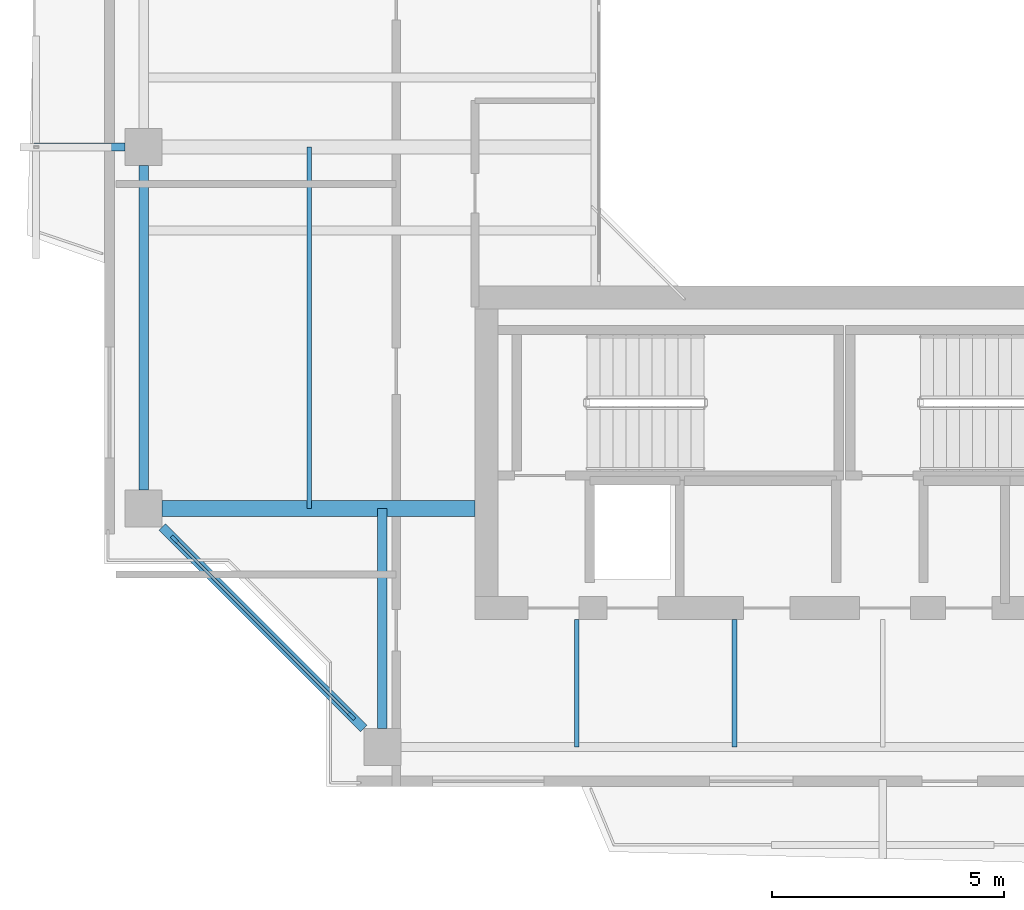
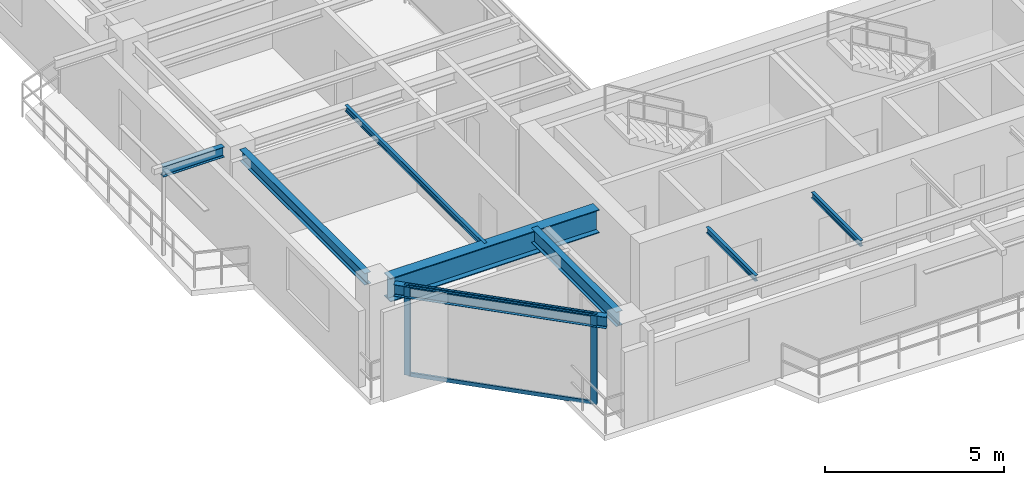
# One storey, part 2 of 16: 8 beams, 4 members, 1 element without a shape of its own.
"""IFC4 building model written with IfcOpenShell, lengths in metres."""

from ifc_helpers import new_model, si_unit, direction, frame, origin, origin_2d, place, context, subcontext, project, spatial, rectangle, i_section, extrude, source, transform, mapped, material, layer, layer_set, material_profile, profile_set, type_object, element, aggregate, save


model = new_model("IFC4")

# Units and contexts
model_context = context("Model", 3, precision=1e-05, world=origin(), true_north=direction((0.0, 1.0)))
body_context = subcontext(model_context, "Body", "Model", "MODEL_VIEW")
ifc_project = project(units=[si_unit("LENGTHUNIT", "METRE"), si_unit("AREAUNIT", "SQUARE_METRE"), si_unit("VOLUMEUNIT", "CUBIC_METRE"), si_unit("PLANEANGLEUNIT", "RADIAN"), si_unit("MASSUNIT", "GRAM", prefix="KILO"), si_unit("THERMODYNAMICTEMPERATUREUNIT", "KELVIN"), si_unit("POWERUNIT", "WATT")], contexts=[model_context])

# Site, building, storey
site_placement = place(None, origin())
site = spatial("IfcSite", under=ifc_project, at=site_placement, CompositionType="ELEMENT")
building_placement = place(site_placement, origin())
building = spatial("IfcBuilding", under=site, at=building_placement, Name="Qiaomeng Ring Towers", CompositionType="ELEMENT")
storey_placement = place(building_placement, frame((0.0, 0.0, 223.0)))
storey = spatial("IfcBuildingStorey", under=building, at=storey_placement, Name="L65", CompositionType="ELEMENT", Elevation=223.0)

# Beams
ifc_material_1 = material(Name="Steel Q355B", Category="steel")
ifc_material_profile_1 = material_profile(ifc_material_1, i_section(OverallWidth=0.198974609375, OverallDepth=0.39599609375, WebThickness=0.007080078125, FlangeThickness=0.010986328125, FilletRadius=0.01611328125, at=origin_2d()), Name="HN 396x199x7x11")
ifc_profile_set_1 = profile_set([ifc_material_profile_1], Name="Steel Q355B")
beam_type_1 = type_object("IfcBeamType", Name="STR-BM-HN396", PredefinedType="SPANDREL", material=ifc_profile_set_1)
shared_shape_1 = source(origin(), body_context, "Body", "SweptSolid", [
    extrude(i_section(OverallWidth=0.198974609375, OverallDepth=0.39599609375, WebThickness=0.007080078125, FlangeThickness=0.010986328125, FilletRadius=0.01611328125, at=origin_2d()), origin(), (0.0, 0.0, 1.0), 6.154052734375),
])
beam_1_placement = place(storey_placement, frame((3.44921875, 11.80078125, 2.8720703125), z_axis=(0.707106781187, -0.707106781187, 0.0), x_axis=(0.707106781187, 0.707106781187, 0.0)))
element("IfcBeam", 1, at=beam_1_placement, inside=storey, type_object=beam_type_1, Name="L65 beam STR-SP-L65-T1-W1-S1", PredefinedType="SPANDREL", context=body_context, shape_type="MappedRepresentation", body=[
    mapped(shared_shape_1, transform((0.0, 0.0, 0.0), x_axis=(1.0, 0.0, 0.0), y_axis=(0.0, 1.0, 0.0), z_axis=(0.0, 0.0, 1.0), scale=1.0)),
])
shared_shape_2 = source(origin(), body_context, "Body", "SweptSolid", [
    extrude(i_section(OverallWidth=0.198974609375, OverallDepth=0.39599609375, WebThickness=0.007080078125, FlangeThickness=0.010986328125, FilletRadius=0.01611328125, at=origin_2d()), origin(), (0.0, 0.0, 1.0), 7.001953125),
])
beam_2_placement = place(storey_placement, frame((3.050048828125, 19.60107421875, 2.8720703125), z_axis=(0.0, -1.0, 0.0), x_axis=(1.0, 0.0, 0.0)))
element("IfcBeam", 2, at=beam_2_placement, inside=storey, type_object=beam_type_1, Name="L65 beam STR-SP-L65-T1-W2-W1", PredefinedType="SPANDREL", context=body_context, shape_type="MappedRepresentation", body=[
    mapped(shared_shape_2, transform((0.0, 0.0, 0.0), x_axis=(1.0, 0.0, 0.0), y_axis=(0.0, 1.0, 0.0), z_axis=(0.0, 0.0, 1.0), scale=1.0)),
])
ifc_material_2 = material(Name="Steel Q390GJC", Category="steel")
ifc_material_profile_2 = material_profile(ifc_material_2, i_section(OverallWidth=0.35009765625, OverallDepth=0.800048828125, WebThickness=0.01611328125, FlangeThickness=0.028076171875, at=origin_2d()), Name="WH 800x350x16x28")
ifc_profile_set_2 = profile_set([ifc_material_profile_2], Name="Steel Q390GJC")
beam_type_2 = type_object("IfcBeamType", Name="STR-BM-WH800", PredefinedType="BEAM", material=ifc_profile_set_2)
shared_shape_3 = source(origin(), body_context, "Body", "SweptSolid", [
    extrude(i_section(OverallWidth=0.35009765625, OverallDepth=0.800048828125, WebThickness=0.01611328125, FlangeThickness=0.028076171875, at=origin_2d()), origin(), (0.0, 0.0, 1.0), 6.7509765625),
])
beam_3_placement = place(storey_placement, frame((3.448974609375, 12.199951171875, 2.669921875), z_axis=(1.0, 0.0, 0.0), x_axis=(0.0, 1.0, 0.0)))
element("IfcBeam", 3, at=beam_3_placement, inside=storey, type_object=beam_type_2, Name="L65 beam STR-BM-L65-T1-RAD-W1", PredefinedType="BEAM", context=body_context, shape_type="MappedRepresentation", body=[
    mapped(shared_shape_3, transform((0.0, 0.0, 0.0), x_axis=(1.0, 0.0, 0.0), y_axis=(0.0, 1.0, 0.0), z_axis=(0.0, 0.0, 1.0), scale=1.0)),
])
ifc_material_profile_3 = material_profile(ifc_material_1, i_section(OverallWidth=0.175048828125, OverallDepth=0.35009765625, WebThickness=0.007080078125, FlangeThickness=0.010986328125, FilletRadius=0.013916015625, at=origin_2d()), Name="HN 350x175x7x11")
ifc_profile_set_3 = profile_set([ifc_material_profile_3], Name="Steel Q355B")
beam_type_3 = type_object("IfcBeamType", Name="STR-BM-HN350", PredefinedType="JOIST", material=ifc_profile_set_3)
shared_shape_4 = source(origin(), body_context, "Body", "SweptSolid", [
    extrude(i_section(OverallWidth=0.175048828125, OverallDepth=0.35009765625, WebThickness=0.007080078125, FlangeThickness=0.010986328125, FilletRadius=0.013916015625, at=origin_2d()), origin(), (0.0, 0.0, 1.0), 1.970947265625),
])
beam_4_placement = place(storey_placement, frame((0.679931640625, 20.0, 2.89501953125), z_axis=(1.0, 0.0, 0.0), x_axis=(0.0, 1.0, 0.0)))
element("IfcBeam", 4, at=beam_4_placement, inside=storey, type_object=beam_type_3, Name="L65 beam STR-BALBM-L65-W2", PredefinedType="JOIST", context=body_context, shape_type="MappedRepresentation", body=[
    mapped(shared_shape_4, transform((0.0, 0.0, 0.0), x_axis=(1.0, 0.0, 0.0), y_axis=(0.0, 1.0, 0.0), z_axis=(0.0, 0.0, 1.0), scale=1.0)),
])
ifc_material_profile_4 = material_profile(ifc_material_1, i_section(OverallWidth=0.10009765625, OverallDepth=0.199951171875, WebThickness=0.005615234375, FlangeThickness=0.008056640625, FilletRadius=0.010986328125, at=origin_2d()), Name="HN 200x100x5.5x8")
ifc_profile_set_4 = profile_set([ifc_material_profile_4], Name="Steel Q355B")
beam_type_4 = type_object("IfcBeamType", Name="STR-BM-HN200", PredefinedType="JOIST", material=ifc_profile_set_4)
shared_shape_5 = source(origin(), body_context, "Body", "SweptSolid", [
    extrude(i_section(OverallWidth=0.10009765625, OverallDepth=0.199951171875, WebThickness=0.005615234375, FlangeThickness=0.008056640625, FilletRadius=0.010986328125, at=origin_2d()), origin(), (0.0, 0.0, 1.0), 2.75),
])
for number, where, z_axis, x_axis, name in (
    (5, (12.39990234375, 7.050048828125, 2.969970703125), (0.0, 1.0, 0.0), (-1.0, 0.0, 0.0), "L65 beam STR-JST-L65-T1S-1"),
    (6, (15.800048828125, 7.050048828125, 2.969970703125), (0.0, 1.0, 0.0), (-1.0, 0.0, 0.0), "L65 beam STR-JST-L65-T1S-2"),
):
    element("IfcBeam", number, at=place(storey_placement, frame(where, z_axis=z_axis, x_axis=x_axis)), inside=storey, type_object=beam_type_4, Name=name, PredefinedType="JOIST", context=body_context, shape_type="MappedRepresentation", body=[
        mapped(shared_shape_5, transform((0.0, 0.0, 0.0), x_axis=(1.0, 0.0, 0.0), y_axis=(0.0, 1.0, 0.0), z_axis=(0.0, 0.0, 1.0), scale=1.0)),
    ])
shared_shape_6 = source(origin(), body_context, "Body", "SweptSolid", [
    extrude(i_section(OverallWidth=0.10009765625, OverallDepth=0.199951171875, WebThickness=0.005615234375, FlangeThickness=0.008056640625, FilletRadius=0.010986328125, at=origin_2d()), origin(), (0.0, 0.0, 1.0), 7.800048828125),
])
beam_5_placement = place(storey_placement, frame((6.625, 12.199951171875, 2.969970703125), z_axis=(0.0, 1.0, 0.0), x_axis=(-1.0, 0.0, 0.0)))
element("IfcBeam", 7, at=beam_5_placement, inside=storey, type_object=beam_type_4, Name="L65 beam STR-JST-L65-T1C-WS", PredefinedType="JOIST", context=body_context, shape_type="MappedRepresentation", body=[
    mapped(shared_shape_6, transform((0.0, 0.0, 0.0), x_axis=(1.0, 0.0, 0.0), y_axis=(0.0, 1.0, 0.0), z_axis=(0.0, 0.0, 1.0), scale=1.0)),
])
ifc_material_profile_5 = material_profile(ifc_material_1, i_section(OverallWidth=0.198974609375, OverallDepth=0.49609375, WebThickness=0.009033203125, FlangeThickness=0.013916015625, FilletRadius=0.01806640625, at=origin_2d()), Name="HN 496x199x9x14")
ifc_profile_set_5 = profile_set([ifc_material_profile_5], Name="Steel Q355B")
beam_type_5 = type_object("IfcBeamType", Name="STR-BM-HN496", PredefinedType="BEAM", material=ifc_profile_set_5)
shared_shape_7 = source(origin(), body_context, "Body", "SweptSolid", [
    extrude(i_section(OverallWidth=0.198974609375, OverallDepth=0.49609375, WebThickness=0.009033203125, FlangeThickness=0.013916015625, FilletRadius=0.01806640625, at=origin_2d()), origin(), (0.0, 0.0, 1.0), 4.7509765625),
])
beam_6_placement = place(storey_placement, frame((8.199951171875, 7.448974609375, 2.822021484375), z_axis=(0.0, 1.0, 0.0), x_axis=(-1.0, 0.0, 0.0)))
element("IfcBeam", 8, at=beam_6_placement, inside=storey, type_object=beam_type_5, Name="L65 beam STR-BM-L65-T1-RAD-S1", PredefinedType="BEAM", context=body_context, shape_type="MappedRepresentation", body=[
    mapped(shared_shape_7, transform((0.0, 0.0, 0.0), x_axis=(1.0, 0.0, 0.0), y_axis=(0.0, 1.0, 0.0), z_axis=(0.0, 0.0, 1.0), scale=1.0)),
])

# Curtain wall, members
ifc_material_3 = material(Name="Fluorocarbon dark-grey aluminium", Category="aluminium")
ifc_layer = layer(ifc_material_3, 0.14990234375, Name="Fluorocarbon dark-grey aluminium")
ifc_layer_set = layer_set([ifc_layer], Name="Fluorocarbon dark-grey aluminium")
curtain_wall_type = type_object("IfcCurtainWallType", Name="ARC-CW-3", PredefinedType="NOTDEFINED", material=ifc_layer_set)
curtain_wall_placement = place(storey_placement, origin())
curtain_wall = element("IfcCurtainWall", 9, at=curtain_wall_placement, inside=storey, type_object=curtain_wall_type, Name="L65 Curtain Wall CW3", PredefinedType="NOTDEFINED")
ifc_material_profile_6 = material_profile(ifc_material_3, rectangle(XDim=0.070068359375, YDim=0.179931640625, at=origin_2d()), Name="ALU MULL 70x180")
ifc_profile_set_6 = profile_set([ifc_material_profile_6], Name="Fluorocarbon dark-grey aluminium")
member_type_1 = type_object("IfcMemberType", Name="ARC-CWM-160", PredefinedType="MULLION", material=ifc_profile_set_6)
shared_shape_8 = source(origin(), body_context, "Body", "SweptSolid", [
    extrude(rectangle(XDim=0.070068359375, YDim=0.179931640625, at=origin_2d()), origin(), (0.0, 0.0, 1.0), 3.070068359375),
])
member_1_placement = place(storey_placement, frame((3.71484375, 11.53515625, 0.0), z_axis=(0.0, 0.0, 1.0), x_axis=(0.707106781187, 0.707106781187, 0.0)))
member_1 = element("IfcMember", 10, at=member_1_placement, type_object=member_type_1, Name="CW3 mullion 1", PredefinedType="MULLION", context=body_context, shape_type="MappedRepresentation", body=[
    mapped(shared_shape_8, transform((0.0, 0.0, 0.0), x_axis=(1.0, 0.0, 0.0), y_axis=(0.0, 1.0, 0.0), z_axis=(0.0, 0.0, 1.0), scale=1.0)),
])
member_2_placement = place(storey_placement, frame((7.53515625, 7.71484375, 0.0), z_axis=(0.0, 0.0, 1.0), x_axis=(0.707106781187, 0.707106781187, 0.0)))
member_2 = element("IfcMember", 11, at=member_2_placement, type_object=member_type_1, Name="CW3 mullion 2", PredefinedType="MULLION", context=body_context, shape_type="MappedRepresentation", body=[
    mapped(shared_shape_8, transform((0.0, 0.0, 0.0), x_axis=(1.0, 0.0, 0.0), y_axis=(0.0, 1.0, 0.0), z_axis=(0.0, 0.0, 1.0), scale=1.0)),
])
ifc_material_profile_7 = material_profile(ifc_material_3, rectangle(XDim=0.06494140625, YDim=0.1298828125, at=origin_2d()), Name="ALU TRAN 65x130")
ifc_profile_set_7 = profile_set([ifc_material_profile_7], Name="Fluorocarbon dark-grey aluminium")
member_type_2 = type_object("IfcMemberType", Name="ARC-CWT-120", PredefinedType="USERDEFINED", material=ifc_profile_set_7)
shared_shape_9 = source(origin(), body_context, "Body", "SweptSolid", [
    extrude(rectangle(XDim=0.06494140625, YDim=0.1298828125, at=origin_2d()), origin(), (0.0, 0.0, 1.0), 5.3330078125),
])
member_3_placement = place(storey_placement, frame((3.739501953125, 11.510498046875, 0.032470703125), z_axis=(0.707106781187, -0.707106781187, 0.0), x_axis=(0.707106781187, 0.707106781187, 0.0)))
member_3 = element("IfcMember", 12, at=member_3_placement, type_object=member_type_2, Name="CW3 transom 1.1", ObjectType="TRANSOM", PredefinedType="USERDEFINED", context=body_context, shape_type="MappedRepresentation", body=[
    mapped(shared_shape_9, transform((0.0, 0.0, 0.0), x_axis=(1.0, 0.0, 0.0), y_axis=(0.0, 1.0, 0.0), z_axis=(0.0, 0.0, 1.0), scale=1.0)),
])
member_4_placement = place(storey_placement, frame((3.739501953125, 11.510498046875, 3.03759765625), z_axis=(0.707106781187, -0.707106781187, 0.0), x_axis=(0.707106781187, 0.707106781187, 0.0)))
member_4 = element("IfcMember", 13, at=member_4_placement, type_object=member_type_2, Name="CW3 transom 1.2", ObjectType="TRANSOM", PredefinedType="USERDEFINED", context=body_context, shape_type="MappedRepresentation", body=[
    mapped(shared_shape_9, transform((0.0, 0.0, 0.0), x_axis=(1.0, 0.0, 0.0), y_axis=(0.0, 1.0, 0.0), z_axis=(0.0, 0.0, 1.0), scale=1.0)),
])
aggregate(curtain_wall, [member_1, member_2, member_3, member_4])

save(model, "model.ifc")
